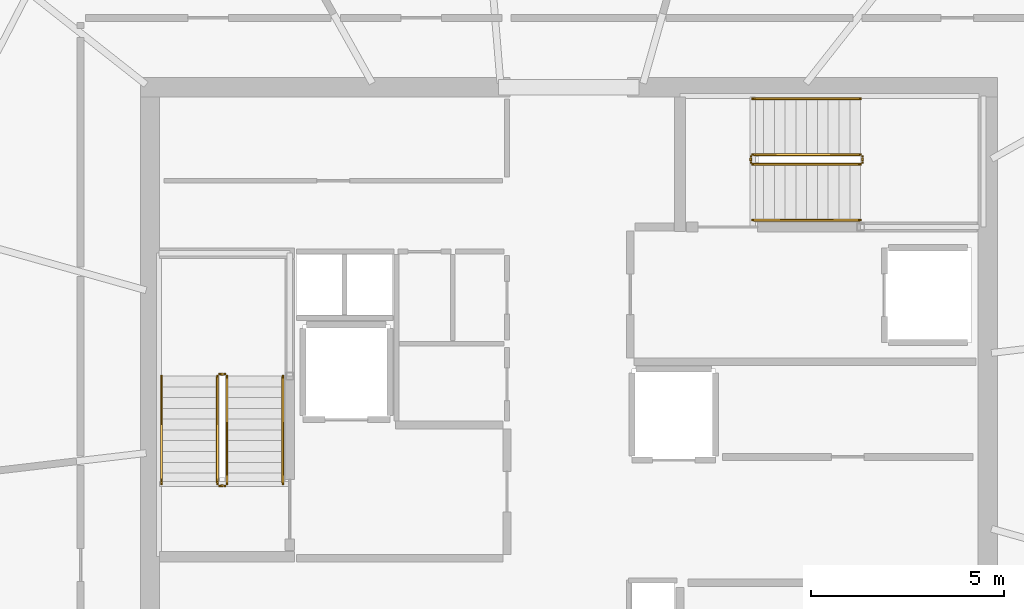
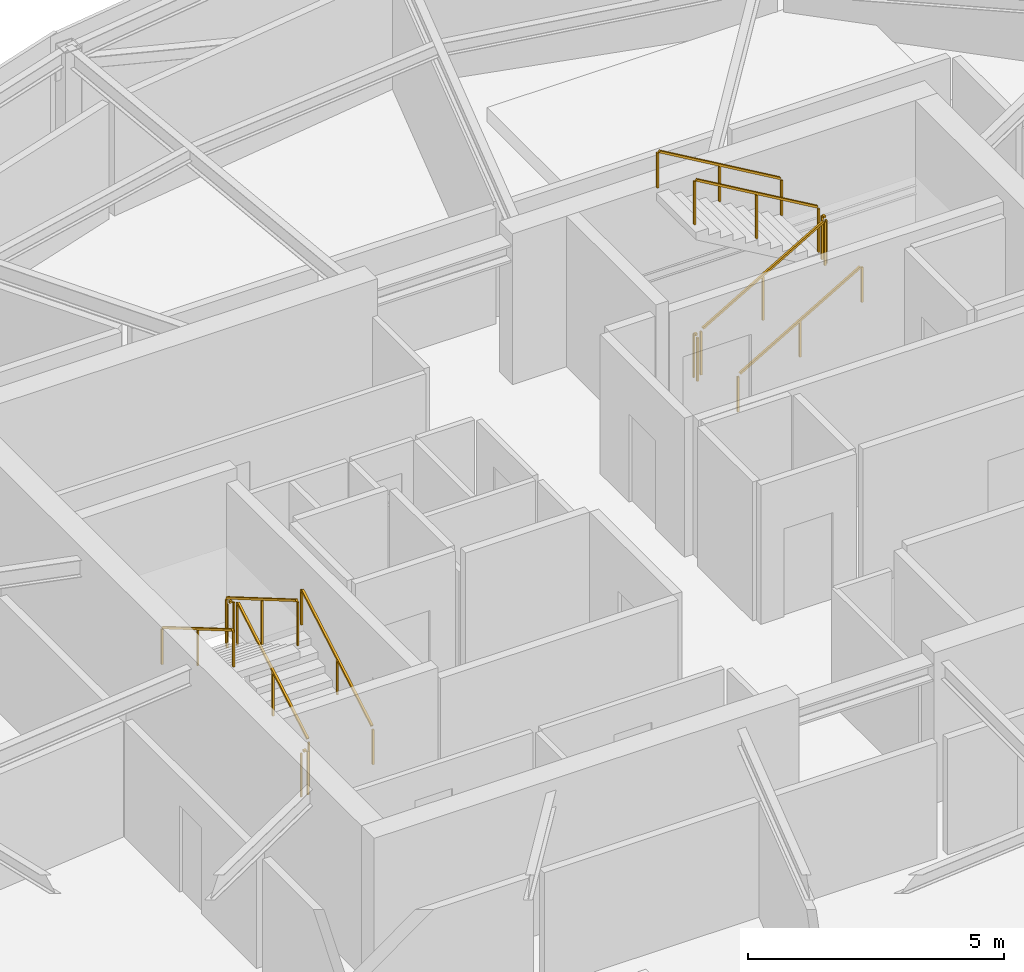
# One storey, part 10 of 10: 12 railings.
"""IFC4 building model written with IfcOpenShell, lengths in metres."""

import ifcopenshell
import ifcopenshell.guid

model = None  # the IFC model being written
_history = None  # IfcOwnerHistory: only IFC2X3 demands one
_inside = {}  # id of a spatial element -> (the spatial element, [elements in it])
_under = {}  # id of a project, library or spatial element -> (it, [spatial elements below it])
_declared = {}  # id of a project -> (the project, [libraries it declares])
_typed = {}  # id of a type object -> (the type object, [elements of that type])
_made_of = {}  # id of a material, layer set ... -> (it, [elements and type objects made of it])


def new_model(schema):
    """Start an empty IFC model of exactly this schema.

    Asked for "IFC4X3", IfcOpenShell would pick the latest addendum, in which some entities
    have other attributes; the version numbers below select the first issue.
    IFC2X3 requires an IfcOwnerHistory on every rooted entity: one is made here for all.
    """
    global model, _history
    if schema == "IFC4X3":
        model = ifcopenshell.file(schema_version=(4, 3, 0, 0))
    else:
        model = ifcopenshell.file(schema=schema)
    _inside.clear()
    _under.clear()
    _declared.clear()
    _typed.clear()
    _made_of.clear()
    _history = None
    if model.schema == "IFC2X3":
        org = make("IfcOrganization", Name="unknown")
        user = make(
            "IfcPersonAndOrganization",
            ThePerson=make("IfcPerson", FamilyName="unknown"),
            TheOrganization=org,
        )
        app = make(
            "IfcApplication",
            ApplicationDeveloper=org,
            Version="unknown",
            ApplicationFullName="unknown",
            ApplicationIdentifier="unknown",
        )
        _history = make(
            "IfcOwnerHistory",
            OwningUser=user,
            OwningApplication=app,
            ChangeAction="ADDED",
            CreationDate=0,
        )
    return model


def make(cls, **values):
    """One entity of the class cls with the attributes given. An attribute that is None is left unset."""
    return model.create_entity(
        cls, **{name: value for name, value in values.items() if value is not None}
    )


def rooted(cls, **values):
    """An entity with a GlobalId (a new one), such as an element, a storey or a relation."""
    return make(cls, GlobalId=ifcopenshell.guid.new(), OwnerHistory=_history, **values)


def si_unit(unit_type, name, prefix=None):
    """IfcSIUnit, for example si_unit("LENGTHUNIT", "METRE", prefix="MILLI")."""
    return make("IfcSIUnit", UnitType=unit_type, Prefix=prefix, Name=name)


def assignment(units):
    """IfcUnitAssignment: the units of a project."""
    return None if units is None else make("IfcUnitAssignment", Units=units)


def point(xyz):
    """IfcCartesianPoint."""
    return None if xyz is None else make("IfcCartesianPoint", Coordinates=xyz)


def direction(xyz):
    """IfcDirection."""
    return None if xyz is None else make("IfcDirection", DirectionRatios=xyz)


def frame(location, z_axis=None, x_axis=None):
    """IfcAxis2Placement3D, a coordinate frame: its origin and axes. An axis left out is left unset."""
    return make(
        "IfcAxis2Placement3D",
        Location=point(location),
        Axis=direction(z_axis),
        RefDirection=direction(x_axis),
    )


def frame_2d(location, x_axis=None):
    """IfcAxis2Placement2D, a coordinate frame in the plane: its origin and x axis."""
    return make(
        "IfcAxis2Placement2D", Location=point(location), RefDirection=direction(x_axis)
    )


def origin():
    """The frame at (0, 0, 0) with its axes left unset."""
    return frame((0.0, 0.0, 0.0))


def origin_2d():
    """The frame at (0, 0) in the plane with its x axis left unset."""
    return frame_2d((0.0, 0.0))


def place(relative_to, where):
    """IfcLocalPlacement: puts the frame where relative to a parent placement (None: the world)."""
    return make(
        "IfcLocalPlacement", PlacementRelTo=relative_to, RelativePlacement=where
    )


def context(
    kind, dimensions, precision=None, world=None, true_north=None, identifier=None
):
    """IfcGeometricRepresentationContext, for example the 3D "Model" context."""
    return make(
        "IfcGeometricRepresentationContext",
        ContextIdentifier=identifier,
        ContextType=kind,
        CoordinateSpaceDimension=dimensions,
        Precision=precision,
        WorldCoordinateSystem=world,
        TrueNorth=true_north,
    )


def subcontext(parent, identifier, kind, view, scale=None):
    """IfcGeometricRepresentationSubContext, for example "Body" below "Model"."""
    return make(
        "IfcGeometricRepresentationSubContext",
        ContextIdentifier=identifier,
        ContextType=kind,
        ParentContext=parent,
        TargetScale=scale,
        TargetView=view,
    )


def project(units=None, contexts=None):
    """IfcProject with its units and contexts."""
    return rooted(
        "IfcProject",
        Name="project",
        RepresentationContexts=contexts,
        UnitsInContext=assignment(units),
    )


def spatial(cls, under=None, at=None, **own):
    """A site, building, storey or space (cls), placed at a placement, below another one or the project."""
    s = rooted(cls, ObjectPlacement=at, **own)
    if under is not None:
        _under.setdefault(under.id(), (under, []))[1].append(s)
    return s


def profile(cls, at=None, kind="AREA", **sizes):
    """A parametric profile (cls). Its sizes go by their IFC names, for example OverallWidth=200.0."""
    return make(cls, ProfileType=kind, Position=at, **sizes)


def rectangle(**sizes):
    """IfcRectangleProfileDef."""
    return profile("IfcRectangleProfileDef", **sizes)


def extrude(swept, where, along, depth):
    """IfcExtrudedAreaSolid: the profile swept, set in the frame where, extruded along a direction by depth."""
    return make(
        "IfcExtrudedAreaSolid",
        SweptArea=swept,
        Position=where,
        ExtrudedDirection=direction(along),
        Depth=depth,
    )


def shape(context_of_items, identifier, shape_type, items):
    """IfcShapeRepresentation: the items that make up one representation, for example the "Body"."""
    return make(
        "IfcShapeRepresentation",
        ContextOfItems=context_of_items,
        RepresentationIdentifier=identifier,
        RepresentationType=shape_type,
        Items=items,
    )


def material(Name=None, Category=None):
    """IfcMaterial."""
    return make("IfcMaterial", Name=Name, Category=Category)


def made_of(thing, what):
    """Note that an element or type object is made of a material, layer set ...; save() writes the relation."""
    if what is not None:
        _made_of.setdefault(what.id(), (what, []))[1].append(thing)
    return thing


def type_object(cls, material=None, **own):
    """A type object (cls), such as IfcWallType, which elements share."""
    return made_of(rooted(cls, **own), material)


def element(
    cls,
    number,
    at=None,
    inside=None,
    cuts=None,
    type_object=None,
    material=None,
    context=None,
    identifier="Body",
    shape_type=None,
    held_by="IfcProductDefinitionShape",
    body=None,
    shapes=None,
    **own,
):
    """One element of the class cls, such as IfcWall. Its Tag is "e" and its number.

    at: its placement. inside: the storey or other place that contains it. cuts: it is an
    opening in that element (IfcRelVoidsElement). A single representation is given by context,
    identifier, shape_type and body (its items); several are given by shapes. held_by: the class
    of the entity that holds the representations. save() writes the other relations.
    """
    e = rooted(cls, Tag="e%d" % number, ObjectPlacement=at, **own)
    if body is not None:
        shapes = [shape(context, identifier, shape_type, body)]
    if shapes is not None:
        e.Representation = make(held_by, Representations=shapes)
    if inside is not None:
        _inside.setdefault(inside.id(), (inside, []))[1].append(e)
    if cuts is not None:
        rooted(
            "IfcRelVoidsElement", RelatingBuildingElement=cuts, RelatedOpeningElement=e
        )
    if type_object is not None:
        _typed.setdefault(type_object.id(), (type_object, []))[1].append(e)
    return made_of(e, material)


def aggregate(whole, parts):
    """IfcRelAggregates: a whole, such as a stair, and the parts it consists of."""
    return rooted("IfcRelAggregates", RelatingObject=whole, RelatedObjects=parts)


def save(model, path):
    """Write the relations noted so far, then the file.

    IfcRelAggregates (storeys below a building ...), IfcRelContainedInSpatialStructure (elements
    in a storey), IfcRelDefinesByType, IfcRelAssociatesMaterial and IfcRelDeclares: one each for
    every whole, place, type object, material and project.
    """
    for whole, parts in _under.values():
        aggregate(whole, parts)
    for where, things in _inside.values():
        rooted(
            "IfcRelContainedInSpatialStructure",
            RelatedElements=things,
            RelatingStructure=where,
        )
    for kind, things in _typed.values():
        rooted("IfcRelDefinesByType", RelatedObjects=things, RelatingType=kind)
    for what, things in _made_of.values():
        rooted("IfcRelAssociatesMaterial", RelatedObjects=things, RelatingMaterial=what)
    for by, libraries in _declared.values():
        rooted("IfcRelDeclares", RelatingContext=by, RelatedDefinitions=libraries)
    model.write(path)


model = new_model("IFC4")

# Units and contexts
model_context = context("Model", 3, precision=1e-05, world=origin(), true_north=direction((0.0, 1.0)))
body_context = subcontext(model_context, "Body", "Model", "MODEL_VIEW")
ifc_project = project(units=[si_unit("LENGTHUNIT", "METRE"), si_unit("AREAUNIT", "SQUARE_METRE"), si_unit("VOLUMEUNIT", "CUBIC_METRE"), si_unit("PLANEANGLEUNIT", "RADIAN"), si_unit("MASSUNIT", "GRAM", prefix="KILO")], contexts=[model_context])

# Site, building, storey
site_placement = place(None, origin())
site = spatial("IfcSite", under=ifc_project, at=site_placement, CompositionType="ELEMENT")
building_placement = place(site_placement, origin())
building = spatial("IfcBuilding", under=site, at=building_placement, Name="Kazma Halo Residences", CompositionType="ELEMENT")
storey_placement = place(building_placement, frame((0.0, 0.0, 370.39990234375)))
storey = spatial("IfcBuildingStorey", under=building, at=storey_placement, Name="L93", CompositionType="ELEMENT", Elevation=370.39990234375)

# Railings
ifc_material_1 = material(Name="Painted Steel S355", Category="steel")
railing_type_1 = type_object("IfcRailingType", Name="RLG-STAIR-GRD-1100", PredefinedType="GUARDRAIL", material=ifc_material_1)
railing_1_placement = place(storey_placement, frame((39.550048828125, 39.949951171875, 0.163818359375)))
element("IfcRailing", 1, at=railing_1_placement, inside=storey, type_object=railing_type_1, Name="L93 ST-01 stair guard 1", PredefinedType="GUARDRAIL", context=body_context, shape_type="SweptSolid", body=[
    extrude(rectangle(XDim=0.050048828125, YDim=0.050048828125, at=origin_2d()), frame((0.0, 0.03662109375, 1.096435546875), z_axis=(0.0, 0.863393664356, 0.504530851732), x_axis=(-1.0, 0.0, 0.0)), (0.0, 0.0, 1.0), 3.157958984375),
    extrude(rectangle(XDim=0.0400390625, YDim=0.0400390625, at=origin_2d()), origin(), (0.0, 0.0, 1.0), 1.0380859375),
    extrude(rectangle(XDim=0.0400390625, YDim=0.0400390625, at=origin_2d()), frame((0.0, 1.39990234375, 0.818115234375)), (0.0, 0.0, 1.0), 1.0380859375),
    extrude(rectangle(XDim=0.0400390625, YDim=0.0400390625, at=origin_2d()), frame((0.0, 2.800048828125, 1.63623046875)), (0.0, 0.0, 1.0), 1.0380859375),
])
railing_2_placement = place(storey_placement, frame((39.5, 42.800048828125, 1.800048828125)))
element("IfcRailing", 2, at=railing_2_placement, inside=storey, type_object=railing_type_1, Name="L93 ST-01 stair guard 2", PredefinedType="GUARDRAIL", context=body_context, shape_type="SweptSolid", body=[
    extrude(rectangle(XDim=0.050048828125, YDim=0.050048828125, at=origin_2d()), frame((-0.04248046875, 0.0, 1.0751953125), z_axis=(-1.0, 0.0, 0.0), x_axis=(0.0, -1.0, 0.0)), (0.0, 0.0, 1.0), 0.06494140625),
    extrude(rectangle(XDim=0.0400390625, YDim=0.0400390625, at=origin_2d()), origin(), (0.0, 0.0, 1.0), 1.0380859375),
    extrude(rectangle(XDim=0.0400390625, YDim=0.0400390625, at=origin_2d()), frame((-0.14990234375, 0.0, 0.0)), (0.0, 0.0, 1.0), 1.0380859375),
])
railing_3_placement = place(storey_placement, frame((39.300048828125, 42.75, 1.963623046875)))
element("IfcRailing", 3, at=railing_3_placement, inside=storey, type_object=railing_type_1, Name="L93 ST-01 stair guard 3", PredefinedType="GUARDRAIL", context=body_context, shape_type="SweptSolid", body=[
    extrude(rectangle(XDim=0.050048828125, YDim=0.050048828125, at=origin_2d()), frame((0.0, -0.03662109375, 1.096435546875), z_axis=(0.0, -0.863360870873, 0.504586966384), x_axis=(1.0, 0.0, 0.0)), (0.0, 0.0, 1.0), 3.158203125),
    extrude(rectangle(XDim=0.0400390625, YDim=0.0400390625, at=origin_2d()), origin(), (0.0, 0.0, 1.0), 1.0380859375),
    extrude(rectangle(XDim=0.0400390625, YDim=0.0400390625, at=origin_2d()), frame((0.0, -1.39990234375, 0.818359375)), (0.0, 0.0, 1.0), 1.0380859375),
    extrude(rectangle(XDim=0.0400390625, YDim=0.0400390625, at=origin_2d()), frame((0.0, -2.800048828125, 1.636474609375)), (0.0, 0.0, 1.0), 1.0380859375),
])
railing_4_placement = place(storey_placement, frame((39.5, 39.89990234375, 0.0)))
element("IfcRailing", 4, at=railing_4_placement, inside=storey, type_object=railing_type_1, Name="L93 ST-01 stair guard 4", PredefinedType="GUARDRAIL", context=body_context, shape_type="SweptSolid", body=[
    extrude(rectangle(XDim=0.050048828125, YDim=0.050048828125, at=origin_2d()), frame((-0.04248046875, 0.0, 1.0751953125), z_axis=(-1.0, 0.0, 0.0), x_axis=(0.0, -1.0, 0.0)), (0.0, 0.0, 1.0), 0.06494140625),
    extrude(rectangle(XDim=0.0400390625, YDim=0.0400390625, at=origin_2d()), origin(), (0.0, 0.0, 1.0), 1.0380859375),
    extrude(rectangle(XDim=0.0400390625, YDim=0.0400390625, at=origin_2d()), frame((-0.14990234375, 0.0, 0.0)), (0.0, 0.0, 1.0), 1.0380859375),
])
railing_5_placement = place(storey_placement, frame((53.199951171875, 48.25, 0.163818359375)))
element("IfcRailing", 5, at=railing_5_placement, inside=storey, type_object=railing_type_1, Name="L93 ST-02 stair guard 1", PredefinedType="GUARDRAIL", context=body_context, shape_type="SweptSolid", body=[
    extrude(rectangle(XDim=0.050048828125, YDim=0.050048828125, at=origin_2d()), frame((0.03662109375, 0.0, 1.096435546875), z_axis=(0.863393664356, 0.0, 0.504530851732), x_axis=(0.0, 1.0, 0.0)), (0.0, 0.0, 1.0), 3.157958984375),
    extrude(rectangle(XDim=0.0400390625, YDim=0.0400390625, at=origin_2d()), origin(), (0.0, 0.0, 1.0), 1.0380859375),
    extrude(rectangle(XDim=0.0400390625, YDim=0.0400390625, at=origin_2d()), frame((1.39990234375, 0.0, 0.818115234375)), (0.0, 0.0, 1.0), 1.0380859375),
    extrude(rectangle(XDim=0.0400390625, YDim=0.0400390625, at=origin_2d()), frame((2.800048828125, 0.0, 1.63623046875)), (0.0, 0.0, 1.0), 1.0380859375),
])
railing_6_placement = place(storey_placement, frame((56.050048828125, 48.300048828125, 1.800048828125)))
element("IfcRailing", 6, at=railing_6_placement, inside=storey, type_object=railing_type_1, Name="L93 ST-02 stair guard 2", PredefinedType="GUARDRAIL", context=body_context, shape_type="SweptSolid", body=[
    extrude(rectangle(XDim=0.050048828125, YDim=0.050048828125, at=origin_2d()), frame((0.0, 0.04248046875, 1.0751953125), z_axis=(0.0, 1.0, 0.0), x_axis=(-1.0, 0.0, 0.0)), (0.0, 0.0, 1.0), 0.06494140625),
    extrude(rectangle(XDim=0.0400390625, YDim=0.0400390625, at=origin_2d()), origin(), (0.0, 0.0, 1.0), 1.0380859375),
    extrude(rectangle(XDim=0.0400390625, YDim=0.0400390625, at=origin_2d()), frame((0.0, 0.14990234375, 0.0)), (0.0, 0.0, 1.0), 1.0380859375),
])
railing_7_placement = place(storey_placement, frame((56.0, 48.5, 1.963623046875)))
element("IfcRailing", 7, at=railing_7_placement, inside=storey, type_object=railing_type_1, Name="L93 ST-02 stair guard 3", PredefinedType="GUARDRAIL", context=body_context, shape_type="SweptSolid", body=[
    extrude(rectangle(XDim=0.050048828125, YDim=0.050048828125, at=origin_2d()), frame((-0.03662109375, 0.0, 1.096435546875), z_axis=(-0.863360870873, 0.0, 0.504586966384), x_axis=(0.0, -1.0, 0.0)), (0.0, 0.0, 1.0), 3.158203125),
    extrude(rectangle(XDim=0.0400390625, YDim=0.0400390625, at=origin_2d()), origin(), (0.0, 0.0, 1.0), 1.0380859375),
    extrude(rectangle(XDim=0.0400390625, YDim=0.0400390625, at=origin_2d()), frame((-1.39990234375, 0.0, 0.818359375)), (0.0, 0.0, 1.0), 1.0380859375),
    extrude(rectangle(XDim=0.0400390625, YDim=0.0400390625, at=origin_2d()), frame((-2.800048828125, 0.0, 1.636474609375)), (0.0, 0.0, 1.0), 1.0380859375),
])
railing_8_placement = place(storey_placement, frame((53.14990234375, 48.300048828125, 0.0)))
element("IfcRailing", 8, at=railing_8_placement, inside=storey, type_object=railing_type_1, Name="L93 ST-02 stair guard 4", PredefinedType="GUARDRAIL", context=body_context, shape_type="SweptSolid", body=[
    extrude(rectangle(XDim=0.050048828125, YDim=0.050048828125, at=origin_2d()), frame((0.0, 0.04248046875, 1.0751953125), z_axis=(0.0, 1.0, 0.0), x_axis=(-1.0, 0.0, 0.0)), (0.0, 0.0, 1.0), 0.06494140625),
    extrude(rectangle(XDim=0.0400390625, YDim=0.0400390625, at=origin_2d()), origin(), (0.0, 0.0, 1.0), 1.0380859375),
    extrude(rectangle(XDim=0.0400390625, YDim=0.0400390625, at=origin_2d()), frame((0.0, 0.14990234375, 0.0)), (0.0, 0.0, 1.0), 1.0380859375),
])
ifc_material_2 = material(Name="Brushed Stainless Steel", Category="steel")
railing_type_2 = type_object("IfcRailingType", Name="RLG-STAIR-HND-900", PredefinedType="HANDRAIL", material=ifc_material_2)
railing_9_placement = place(storey_placement, frame((41.0, 39.949951171875, 0.163818359375)))
element("IfcRailing", 9, at=railing_9_placement, inside=storey, type_object=railing_type_2, Name="L93 ST-01 stair handrail 1", PredefinedType="HANDRAIL", context=body_context, shape_type="SweptSolid", body=[
    extrude(rectangle(XDim=0.050048828125, YDim=0.050048828125, at=origin_2d()), frame((0.0, 0.03662109375, 0.896240234375), z_axis=(0.0, 0.863393664356, 0.504530851732), x_axis=(-1.0, 0.0, 0.0)), (0.0, 0.0, 1.0), 3.157958984375),
    extrude(rectangle(XDim=0.0400390625, YDim=0.0400390625, at=origin_2d()), origin(), (0.0, 0.0, 1.0), 0.837890625),
    extrude(rectangle(XDim=0.0400390625, YDim=0.0400390625, at=origin_2d()), frame((0.0, 1.39990234375, 0.818115234375)), (0.0, 0.0, 1.0), 0.837890625),
    extrude(rectangle(XDim=0.0400390625, YDim=0.0400390625, at=origin_2d()), frame((0.0, 2.800048828125, 1.63623046875)), (0.0, 0.0, 1.0), 0.837890625),
])
railing_10_placement = place(storey_placement, frame((37.85009765625, 42.75, 1.963623046875)))
element("IfcRailing", 10, at=railing_10_placement, inside=storey, type_object=railing_type_2, Name="L93 ST-01 stair handrail 2", PredefinedType="HANDRAIL", context=body_context, shape_type="SweptSolid", body=[
    extrude(rectangle(XDim=0.050048828125, YDim=0.050048828125, at=origin_2d()), frame((0.0, -0.03662109375, 0.896240234375), z_axis=(0.0, -0.863360870873, 0.504586966384), x_axis=(1.0, 0.0, 0.0)), (0.0, 0.0, 1.0), 3.158203125),
    extrude(rectangle(XDim=0.0400390625, YDim=0.0400390625, at=origin_2d()), origin(), (0.0, 0.0, 1.0), 0.837890625),
    extrude(rectangle(XDim=0.0400390625, YDim=0.0400390625, at=origin_2d()), frame((0.0, -1.39990234375, 0.818359375)), (0.0, 0.0, 1.0), 0.837890625),
    extrude(rectangle(XDim=0.0400390625, YDim=0.0400390625, at=origin_2d()), frame((0.0, -2.800048828125, 1.636474609375)), (0.0, 0.0, 1.0), 0.837890625),
])
railing_11_placement = place(storey_placement, frame((53.199951171875, 46.800048828125, 0.163818359375)))
element("IfcRailing", 11, at=railing_11_placement, inside=storey, type_object=railing_type_2, Name="L93 ST-02 stair handrail 1", PredefinedType="HANDRAIL", context=body_context, shape_type="SweptSolid", body=[
    extrude(rectangle(XDim=0.050048828125, YDim=0.050048828125, at=origin_2d()), frame((0.03662109375, 0.0, 0.896240234375), z_axis=(0.863393664356, 0.0, 0.504530851732), x_axis=(0.0, 1.0, 0.0)), (0.0, 0.0, 1.0), 3.157958984375),
    extrude(rectangle(XDim=0.0400390625, YDim=0.0400390625, at=origin_2d()), origin(), (0.0, 0.0, 1.0), 0.837890625),
    extrude(rectangle(XDim=0.0400390625, YDim=0.0400390625, at=origin_2d()), frame((1.39990234375, 0.0, 0.818115234375)), (0.0, 0.0, 1.0), 0.837890625),
    extrude(rectangle(XDim=0.0400390625, YDim=0.0400390625, at=origin_2d()), frame((2.800048828125, 0.0, 1.63623046875)), (0.0, 0.0, 1.0), 0.837890625),
])
railing_12_placement = place(storey_placement, frame((56.0, 49.949951171875, 1.963623046875)))
element("IfcRailing", 12, at=railing_12_placement, inside=storey, type_object=railing_type_2, Name="L93 ST-02 stair handrail 2", PredefinedType="HANDRAIL", context=body_context, shape_type="SweptSolid", body=[
    extrude(rectangle(XDim=0.050048828125, YDim=0.050048828125, at=origin_2d()), frame((-0.03662109375, 0.0, 0.896240234375), z_axis=(-0.863360870873, 0.0, 0.504586966384), x_axis=(0.0, -1.0, 0.0)), (0.0, 0.0, 1.0), 3.158203125),
    extrude(rectangle(XDim=0.0400390625, YDim=0.0400390625, at=origin_2d()), origin(), (0.0, 0.0, 1.0), 0.837890625),
    extrude(rectangle(XDim=0.0400390625, YDim=0.0400390625, at=origin_2d()), frame((-1.39990234375, 0.0, 0.818359375)), (0.0, 0.0, 1.0), 0.837890625),
    extrude(rectangle(XDim=0.0400390625, YDim=0.0400390625, at=origin_2d()), frame((-2.800048828125, 0.0, 1.636474609375)), (0.0, 0.0, 1.0), 0.837890625),
])

save(model, "model.ifc")
